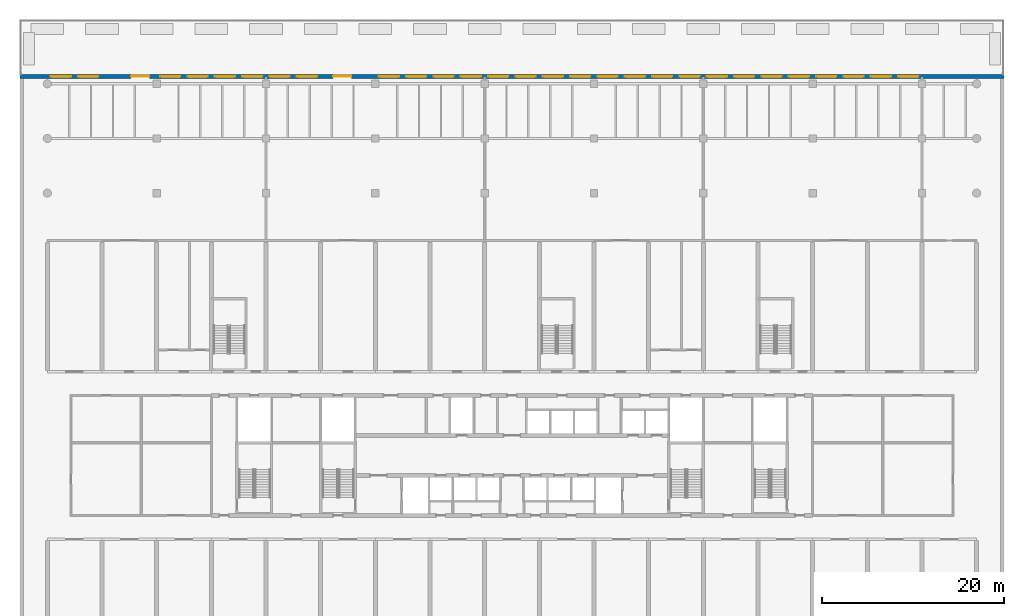
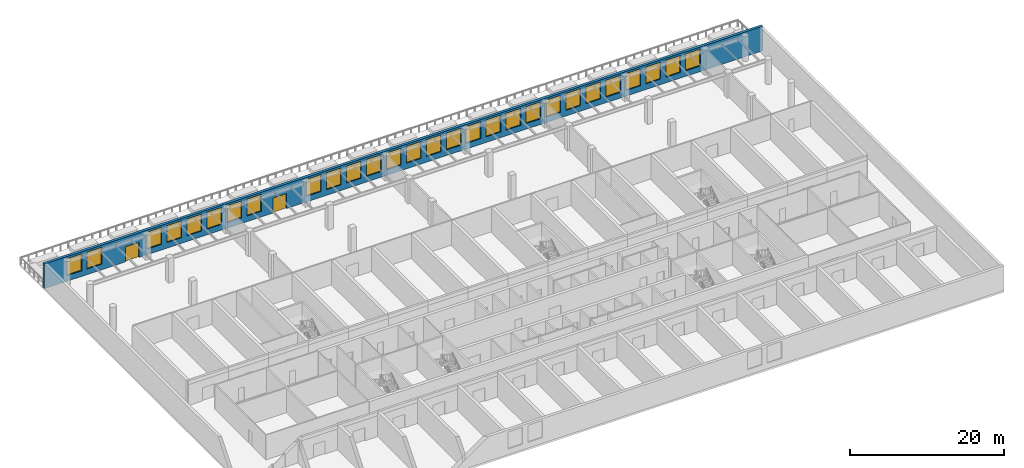
# One storey, part 9 of 15: 28 windows, 2 doors, 1 wall, 30 openings.
"""IFC4 building model written with IfcOpenShell, lengths in metres."""

import ifcopenshell
import ifcopenshell.guid

model = None  # the IFC model being written
_history = None  # IfcOwnerHistory: only IFC2X3 demands one
_inside = {}  # id of a spatial element -> (the spatial element, [elements in it])
_under = {}  # id of a project, library or spatial element -> (it, [spatial elements below it])
_declared = {}  # id of a project -> (the project, [libraries it declares])
_typed = {}  # id of a type object -> (the type object, [elements of that type])
_made_of = {}  # id of a material, layer set ... -> (it, [elements and type objects made of it])


def new_model(schema):
    """Start an empty IFC model of exactly this schema.

    Asked for "IFC4X3", IfcOpenShell would pick the latest addendum, in which some entities
    have other attributes; the version numbers below select the first issue.
    IFC2X3 requires an IfcOwnerHistory on every rooted entity: one is made here for all.
    """
    global model, _history
    if schema == "IFC4X3":
        model = ifcopenshell.file(schema_version=(4, 3, 0, 0))
    else:
        model = ifcopenshell.file(schema=schema)
    _inside.clear()
    _under.clear()
    _declared.clear()
    _typed.clear()
    _made_of.clear()
    _history = None
    if model.schema == "IFC2X3":
        org = make("IfcOrganization", Name="unknown")
        user = make(
            "IfcPersonAndOrganization",
            ThePerson=make("IfcPerson", FamilyName="unknown"),
            TheOrganization=org,
        )
        app = make(
            "IfcApplication",
            ApplicationDeveloper=org,
            Version="unknown",
            ApplicationFullName="unknown",
            ApplicationIdentifier="unknown",
        )
        _history = make(
            "IfcOwnerHistory",
            OwningUser=user,
            OwningApplication=app,
            ChangeAction="ADDED",
            CreationDate=0,
        )
    return model


def make(cls, **values):
    """One entity of the class cls with the attributes given. An attribute that is None is left unset."""
    return model.create_entity(
        cls, **{name: value for name, value in values.items() if value is not None}
    )


def rooted(cls, **values):
    """An entity with a GlobalId (a new one), such as an element, a storey or a relation."""
    return make(cls, GlobalId=ifcopenshell.guid.new(), OwnerHistory=_history, **values)


def si_unit(unit_type, name, prefix=None):
    """IfcSIUnit, for example si_unit("LENGTHUNIT", "METRE", prefix="MILLI")."""
    return make("IfcSIUnit", UnitType=unit_type, Prefix=prefix, Name=name)


def assignment(units):
    """IfcUnitAssignment: the units of a project."""
    return None if units is None else make("IfcUnitAssignment", Units=units)


def point(xyz):
    """IfcCartesianPoint."""
    return None if xyz is None else make("IfcCartesianPoint", Coordinates=xyz)


def direction(xyz):
    """IfcDirection."""
    return None if xyz is None else make("IfcDirection", DirectionRatios=xyz)


def frame(location, z_axis=None, x_axis=None):
    """IfcAxis2Placement3D, a coordinate frame: its origin and axes. An axis left out is left unset."""
    return make(
        "IfcAxis2Placement3D",
        Location=point(location),
        Axis=direction(z_axis),
        RefDirection=direction(x_axis),
    )


def frame_2d(location, x_axis=None):
    """IfcAxis2Placement2D, a coordinate frame in the plane: its origin and x axis."""
    return make(
        "IfcAxis2Placement2D", Location=point(location), RefDirection=direction(x_axis)
    )


def origin():
    """The frame at (0, 0, 0) with its axes left unset."""
    return frame((0.0, 0.0, 0.0))


def place(relative_to, where):
    """IfcLocalPlacement: puts the frame where relative to a parent placement (None: the world)."""
    return make(
        "IfcLocalPlacement", PlacementRelTo=relative_to, RelativePlacement=where
    )


def context(
    kind, dimensions, precision=None, world=None, true_north=None, identifier=None
):
    """IfcGeometricRepresentationContext, for example the 3D "Model" context."""
    return make(
        "IfcGeometricRepresentationContext",
        ContextIdentifier=identifier,
        ContextType=kind,
        CoordinateSpaceDimension=dimensions,
        Precision=precision,
        WorldCoordinateSystem=world,
        TrueNorth=true_north,
    )


def subcontext(parent, identifier, kind, view, scale=None):
    """IfcGeometricRepresentationSubContext, for example "Body" below "Model"."""
    return make(
        "IfcGeometricRepresentationSubContext",
        ContextIdentifier=identifier,
        ContextType=kind,
        ParentContext=parent,
        TargetScale=scale,
        TargetView=view,
    )


def project(units=None, contexts=None):
    """IfcProject with its units and contexts."""
    return rooted(
        "IfcProject",
        Name="project",
        RepresentationContexts=contexts,
        UnitsInContext=assignment(units),
    )


def spatial(cls, under=None, at=None, **own):
    """A site, building, storey or space (cls), placed at a placement, below another one or the project."""
    s = rooted(cls, ObjectPlacement=at, **own)
    if under is not None:
        _under.setdefault(under.id(), (under, []))[1].append(s)
    return s


def profile(cls, at=None, kind="AREA", **sizes):
    """A parametric profile (cls). Its sizes go by their IFC names, for example OverallWidth=200.0."""
    return make(cls, ProfileType=kind, Position=at, **sizes)


def rectangle(**sizes):
    """IfcRectangleProfileDef."""
    return profile("IfcRectangleProfileDef", **sizes)


def extrude(swept, where, along, depth):
    """IfcExtrudedAreaSolid: the profile swept, set in the frame where, extruded along a direction by depth."""
    return make(
        "IfcExtrudedAreaSolid",
        SweptArea=swept,
        Position=where,
        ExtrudedDirection=direction(along),
        Depth=depth,
    )


def shape(context_of_items, identifier, shape_type, items):
    """IfcShapeRepresentation: the items that make up one representation, for example the "Body"."""
    return make(
        "IfcShapeRepresentation",
        ContextOfItems=context_of_items,
        RepresentationIdentifier=identifier,
        RepresentationType=shape_type,
        Items=items,
    )


def material(Name=None, Category=None):
    """IfcMaterial."""
    return make("IfcMaterial", Name=Name, Category=Category)


def layer(
    of_material, thickness, ventilated=None, Name=None, Category=None, Priority=None
):
    """IfcMaterialLayer: one layer of a wall or slab, of a material (None: an air gap)."""
    return make(
        "IfcMaterialLayer",
        Material=of_material,
        LayerThickness=thickness,
        IsVentilated=ventilated,
        Name=Name,
        Category=Category,
        Priority=Priority,
    )


def layer_set(layers, Name=None):
    """IfcMaterialLayerSet."""
    return make("IfcMaterialLayerSet", MaterialLayers=layers, LayerSetName=Name)


def made_of(thing, what):
    """Note that an element or type object is made of a material, layer set ...; save() writes the relation."""
    if what is not None:
        _made_of.setdefault(what.id(), (what, []))[1].append(thing)
    return thing


def type_object(cls, material=None, **own):
    """A type object (cls), such as IfcWallType, which elements share."""
    return made_of(rooted(cls, **own), material)


def element(
    cls,
    number,
    at=None,
    inside=None,
    cuts=None,
    type_object=None,
    material=None,
    context=None,
    identifier="Body",
    shape_type=None,
    held_by="IfcProductDefinitionShape",
    body=None,
    shapes=None,
    **own,
):
    """One element of the class cls, such as IfcWall. Its Tag is "e" and its number.

    at: its placement. inside: the storey or other place that contains it. cuts: it is an
    opening in that element (IfcRelVoidsElement). A single representation is given by context,
    identifier, shape_type and body (its items); several are given by shapes. held_by: the class
    of the entity that holds the representations. save() writes the other relations.
    """
    e = rooted(cls, Tag="e%d" % number, ObjectPlacement=at, **own)
    if body is not None:
        shapes = [shape(context, identifier, shape_type, body)]
    if shapes is not None:
        e.Representation = make(held_by, Representations=shapes)
    if inside is not None:
        _inside.setdefault(inside.id(), (inside, []))[1].append(e)
    if cuts is not None:
        rooted(
            "IfcRelVoidsElement", RelatingBuildingElement=cuts, RelatedOpeningElement=e
        )
    if type_object is not None:
        _typed.setdefault(type_object.id(), (type_object, []))[1].append(e)
    return made_of(e, material)


def fill(opening, filler):
    """IfcRelFillsElement: the door or window that sits in an opening."""
    return rooted(
        "IfcRelFillsElement",
        RelatingOpeningElement=opening,
        RelatedBuildingElement=filler,
    )


def aggregate(whole, parts):
    """IfcRelAggregates: a whole, such as a stair, and the parts it consists of."""
    return rooted("IfcRelAggregates", RelatingObject=whole, RelatedObjects=parts)


def save(model, path):
    """Write the relations noted so far, then the file.

    IfcRelAggregates (storeys below a building ...), IfcRelContainedInSpatialStructure (elements
    in a storey), IfcRelDefinesByType, IfcRelAssociatesMaterial and IfcRelDeclares: one each for
    every whole, place, type object, material and project.
    """
    for whole, parts in _under.values():
        aggregate(whole, parts)
    for where, things in _inside.values():
        rooted(
            "IfcRelContainedInSpatialStructure",
            RelatedElements=things,
            RelatingStructure=where,
        )
    for kind, things in _typed.values():
        rooted("IfcRelDefinesByType", RelatedObjects=things, RelatingType=kind)
    for what, things in _made_of.values():
        rooted("IfcRelAssociatesMaterial", RelatedObjects=things, RelatingMaterial=what)
    for by, libraries in _declared.values():
        rooted("IfcRelDeclares", RelatingContext=by, RelatedDefinitions=libraries)
    model.write(path)


model = new_model("IFC4")

# Units and contexts
model_context = context("Model", 3, precision=1e-05, world=origin(), true_north=direction((0.0, 1.0)))
body_context = subcontext(model_context, "Body", "Model", "MODEL_VIEW")
ifc_project = project(units=[si_unit("LENGTHUNIT", "METRE"), si_unit("AREAUNIT", "SQUARE_METRE"), si_unit("VOLUMEUNIT", "CUBIC_METRE"), si_unit("PLANEANGLEUNIT", "RADIAN"), si_unit("MASSUNIT", "GRAM", prefix="KILO")], contexts=[model_context])

# Site, building, storey
site_placement = place(None, origin())
site = spatial("IfcSite", under=ifc_project, at=site_placement, CompositionType="ELEMENT")
building_placement = place(site_placement, origin())
building = spatial("IfcBuilding", under=site, at=building_placement, Name="Poui Terraces", CompositionType="ELEMENT")
storey_placement = place(building_placement, frame((0.0, 0.0, 10.800048828125)))
storey = spatial("IfcBuildingStorey", under=building, at=storey_placement, Name="L02", CompositionType="ELEMENT", Elevation=10.800048828125)

# Wall, openings, doors, windows
ifc_material_1 = material(Name="Precast concrete 40 MPa", Category="concrete")
ifc_layer = layer(ifc_material_1, 0.39990234375)
ifc_layer_set = layer_set([ifc_layer], Name="Precast concrete 40 MPa")
wall_type = type_object("IfcWallType", Name="EXTERNAL WALL 400", PredefinedType="STANDARD", material=ifc_layer_set)
wall_placement = place(storey_placement, frame((105.0, 62.800048828125, 0.0), z_axis=(0.0, 0.0, 1.0), x_axis=(-1.0, 0.0, 0.0)))
wall = element("IfcWall", 1, at=wall_placement, inside=storey, type_object=wall_type, Name="EXTERNAL WALL N", PredefinedType="STANDARD", context=body_context, shape_type="SweptSolid", body=[
    extrude(rectangle(XDim=108.0, YDim=0.39990234375, at=frame_2d((54.0, 0.0))), origin(), (0.0, 0.0, 1.0), 3.919921875),
])
opening_1_placement = place(wall_placement, frame((102.39990234375, 0.0, 0.89990234375)))
opening_1 = element("IfcOpeningElement", 2, at=opening_1_placement, cuts=wall, Name="Opening W4", PredefinedType="OPENING", context=body_context, shape_type="SweptSolid", body=[
    extrude(rectangle(XDim=2.199951171875, YDim=2.699951171875, at=frame_2d((1.10009765625, 1.35009765625))), frame((0.0, 0.2099609375, 0.0), z_axis=(0.0, -1.0, 0.0), x_axis=(1.0, 0.0, 0.0)), (0.0, 0.0, 1.0), 0.419921875),
])
opening_2_placement = place(wall_placement, frame((99.39990234375, 0.0, 0.89990234375)))
opening_2 = element("IfcOpeningElement", 3, at=opening_2_placement, cuts=wall, Name="Opening W4", PredefinedType="OPENING", context=body_context, shape_type="SweptSolid", body=[
    extrude(rectangle(XDim=2.199951171875, YDim=2.699951171875, at=frame_2d((1.10009765625, 1.35009765625))), frame((0.0, 0.2099609375, 0.0), z_axis=(0.0, -1.0, 0.0), x_axis=(1.0, 0.0, 0.0)), (0.0, 0.0, 1.0), 0.419921875),
])
opening_3_placement = place(wall_placement, frame((90.39990234375, 0.0, 0.89990234375)))
opening_3 = element("IfcOpeningElement", 4, at=opening_3_placement, cuts=wall, Name="Opening W4", PredefinedType="OPENING", context=body_context, shape_type="SweptSolid", body=[
    extrude(rectangle(XDim=2.199951171875, YDim=2.699951171875, at=frame_2d((1.10009765625, 1.35009765625))), frame((0.0, 0.2099609375, 0.0), z_axis=(0.0, -1.0, 0.0), x_axis=(1.0, 0.0, 0.0)), (0.0, 0.0, 1.0), 0.419921875),
])
opening_4_placement = place(wall_placement, frame((87.39990234375, 0.0, 0.89990234375)))
opening_4 = element("IfcOpeningElement", 5, at=opening_4_placement, cuts=wall, Name="Opening W4", PredefinedType="OPENING", context=body_context, shape_type="SweptSolid", body=[
    extrude(rectangle(XDim=2.199951171875, YDim=2.699951171875, at=frame_2d((1.10009765625, 1.35009765625))), frame((0.0, 0.2099609375, 0.0), z_axis=(0.0, -1.0, 0.0), x_axis=(1.0, 0.0, 0.0)), (0.0, 0.0, 1.0), 0.419921875),
])
opening_5_placement = place(wall_placement, frame((84.39990234375, 0.0, 0.89990234375)))
opening_5 = element("IfcOpeningElement", 6, at=opening_5_placement, cuts=wall, Name="Opening W4", PredefinedType="OPENING", context=body_context, shape_type="SweptSolid", body=[
    extrude(rectangle(XDim=2.199951171875, YDim=2.699951171875, at=frame_2d((1.10009765625, 1.35009765625))), frame((0.0, 0.2099609375, 0.0), z_axis=(0.0, -1.0, 0.0), x_axis=(1.0, 0.0, 0.0)), (0.0, 0.0, 1.0), 0.419921875),
])
opening_6_placement = place(wall_placement, frame((81.39990234375, 0.0, 0.89990234375)))
opening_6 = element("IfcOpeningElement", 7, at=opening_6_placement, cuts=wall, Name="Opening W4", PredefinedType="OPENING", context=body_context, shape_type="SweptSolid", body=[
    extrude(rectangle(XDim=2.199951171875, YDim=2.699951171875, at=frame_2d((1.10009765625, 1.35009765625))), frame((0.0, 0.2099609375, 0.0), z_axis=(0.0, -1.0, 0.0), x_axis=(1.0, 0.0, 0.0)), (0.0, 0.0, 1.0), 0.419921875),
])
opening_7_placement = place(wall_placement, frame((78.39990234375, 0.0, 0.89990234375)))
opening_7 = element("IfcOpeningElement", 8, at=opening_7_placement, cuts=wall, Name="Opening W4", PredefinedType="OPENING", context=body_context, shape_type="SweptSolid", body=[
    extrude(rectangle(XDim=2.199951171875, YDim=2.699951171875, at=frame_2d((1.10009765625, 1.35009765625))), frame((0.0, 0.2099609375, 0.0), z_axis=(0.0, -1.0, 0.0), x_axis=(1.0, 0.0, 0.0)), (0.0, 0.0, 1.0), 0.419921875),
])
opening_8_placement = place(wall_placement, frame((75.39990234375, 0.0, 0.89990234375)))
opening_8 = element("IfcOpeningElement", 9, at=opening_8_placement, cuts=wall, Name="Opening W4", PredefinedType="OPENING", context=body_context, shape_type="SweptSolid", body=[
    extrude(rectangle(XDim=2.199951171875, YDim=2.699951171875, at=frame_2d((1.10009765625, 1.35009765625))), frame((0.0, 0.2099609375, 0.0), z_axis=(0.0, -1.0, 0.0), x_axis=(1.0, 0.0, 0.0)), (0.0, 0.0, 1.0), 0.419921875),
])
opening_9_placement = place(wall_placement, frame((66.39990234375, 0.0, 0.89990234375)))
opening_9 = element("IfcOpeningElement", 10, at=opening_9_placement, cuts=wall, Name="Opening W4", PredefinedType="OPENING", context=body_context, shape_type="SweptSolid", body=[
    extrude(rectangle(XDim=2.199951171875, YDim=2.699951171875, at=frame_2d((1.10009765625, 1.35009765625))), frame((0.0, 0.2099609375, 0.0), z_axis=(0.0, -1.0, 0.0), x_axis=(1.0, 0.0, 0.0)), (0.0, 0.0, 1.0), 0.419921875),
])
opening_10_placement = place(wall_placement, frame((63.39990234375, 0.0, 0.89990234375)))
opening_10 = element("IfcOpeningElement", 11, at=opening_10_placement, cuts=wall, Name="Opening W4", PredefinedType="OPENING", context=body_context, shape_type="SweptSolid", body=[
    extrude(rectangle(XDim=2.199951171875, YDim=2.699951171875, at=frame_2d((1.10009765625, 1.35009765625))), frame((0.0, 0.2099609375, 0.0), z_axis=(0.0, -1.0, 0.0), x_axis=(1.0, 0.0, 0.0)), (0.0, 0.0, 1.0), 0.419921875),
])
opening_11_placement = place(wall_placement, frame((60.39990234375, 0.0, 0.89990234375)))
opening_11 = element("IfcOpeningElement", 12, at=opening_11_placement, cuts=wall, Name="Opening W4", PredefinedType="OPENING", context=body_context, shape_type="SweptSolid", body=[
    extrude(rectangle(XDim=2.199951171875, YDim=2.699951171875, at=frame_2d((1.10009765625, 1.35009765625))), frame((0.0, 0.2099609375, 0.0), z_axis=(0.0, -1.0, 0.0), x_axis=(1.0, 0.0, 0.0)), (0.0, 0.0, 1.0), 0.419921875),
])
opening_12_placement = place(wall_placement, frame((57.39990234375, 0.0, 0.89990234375)))
opening_12 = element("IfcOpeningElement", 13, at=opening_12_placement, cuts=wall, Name="Opening W4", PredefinedType="OPENING", context=body_context, shape_type="SweptSolid", body=[
    extrude(rectangle(XDim=2.199951171875, YDim=2.699951171875, at=frame_2d((1.10009765625, 1.35009765625))), frame((0.0, 0.2099609375, 0.0), z_axis=(0.0, -1.0, 0.0), x_axis=(1.0, 0.0, 0.0)), (0.0, 0.0, 1.0), 0.419921875),
])
opening_13_placement = place(wall_placement, frame((54.39990234375, 0.0, 0.89990234375)))
opening_13 = element("IfcOpeningElement", 14, at=opening_13_placement, cuts=wall, Name="Opening W4", PredefinedType="OPENING", context=body_context, shape_type="SweptSolid", body=[
    extrude(rectangle(XDim=2.199951171875, YDim=2.699951171875, at=frame_2d((1.10009765625, 1.35009765625))), frame((0.0, 0.2099609375, 0.0), z_axis=(0.0, -1.0, 0.0), x_axis=(1.0, 0.0, 0.0)), (0.0, 0.0, 1.0), 0.419921875),
])
opening_14_placement = place(wall_placement, frame((51.39990234375, 0.0, 0.89990234375)))
opening_14 = element("IfcOpeningElement", 15, at=opening_14_placement, cuts=wall, Name="Opening W4", PredefinedType="OPENING", context=body_context, shape_type="SweptSolid", body=[
    extrude(rectangle(XDim=2.199951171875, YDim=2.699951171875, at=frame_2d((1.10009765625, 1.35009765625))), frame((0.0, 0.2099609375, 0.0), z_axis=(0.0, -1.0, 0.0), x_axis=(1.0, 0.0, 0.0)), (0.0, 0.0, 1.0), 0.419921875),
])
opening_15_placement = place(wall_placement, frame((48.39990234375, 0.0, 0.89990234375)))
opening_15 = element("IfcOpeningElement", 16, at=opening_15_placement, cuts=wall, Name="Opening W4", PredefinedType="OPENING", context=body_context, shape_type="SweptSolid", body=[
    extrude(rectangle(XDim=2.199951171875, YDim=2.699951171875, at=frame_2d((1.10009765625, 1.35009765625))), frame((0.0, 0.2099609375, 0.0), z_axis=(0.0, -1.0, 0.0), x_axis=(1.0, 0.0, 0.0)), (0.0, 0.0, 1.0), 0.419921875),
])
opening_16_placement = place(wall_placement, frame((45.39990234375, 0.0, 0.89990234375)))
opening_16 = element("IfcOpeningElement", 17, at=opening_16_placement, cuts=wall, Name="Opening W4", PredefinedType="OPENING", context=body_context, shape_type="SweptSolid", body=[
    extrude(rectangle(XDim=2.199951171875, YDim=2.699951171875, at=frame_2d((1.10009765625, 1.35009765625))), frame((0.0, 0.2099609375, 0.0), z_axis=(0.0, -1.0, 0.0), x_axis=(1.0, 0.0, 0.0)), (0.0, 0.0, 1.0), 0.419921875),
])
opening_17_placement = place(wall_placement, frame((42.39990234375, 0.0, 0.89990234375)))
opening_17 = element("IfcOpeningElement", 18, at=opening_17_placement, cuts=wall, Name="Opening W4", PredefinedType="OPENING", context=body_context, shape_type="SweptSolid", body=[
    extrude(rectangle(XDim=2.199951171875, YDim=2.699951171875, at=frame_2d((1.10009765625, 1.35009765625))), frame((0.0, 0.2099609375, 0.0), z_axis=(0.0, -1.0, 0.0), x_axis=(1.0, 0.0, 0.0)), (0.0, 0.0, 1.0), 0.419921875),
])
opening_18_placement = place(wall_placement, frame((39.39990234375, 0.0, 0.89990234375)))
opening_18 = element("IfcOpeningElement", 19, at=opening_18_placement, cuts=wall, Name="Opening W4", PredefinedType="OPENING", context=body_context, shape_type="SweptSolid", body=[
    extrude(rectangle(XDim=2.199951171875, YDim=2.699951171875, at=frame_2d((1.10009765625, 1.35009765625))), frame((0.0, 0.2099609375, 0.0), z_axis=(0.0, -1.0, 0.0), x_axis=(1.0, 0.0, 0.0)), (0.0, 0.0, 1.0), 0.419921875),
])
opening_19_placement = place(wall_placement, frame((36.39990234375, 0.0, 0.89990234375)))
opening_19 = element("IfcOpeningElement", 20, at=opening_19_placement, cuts=wall, Name="Opening W4", PredefinedType="OPENING", context=body_context, shape_type="SweptSolid", body=[
    extrude(rectangle(XDim=2.199951171875, YDim=2.699951171875, at=frame_2d((1.10009765625, 1.35009765625))), frame((0.0, 0.2099609375, 0.0), z_axis=(0.0, -1.0, 0.0), x_axis=(1.0, 0.0, 0.0)), (0.0, 0.0, 1.0), 0.419921875),
])
opening_20_placement = place(wall_placement, frame((33.39990234375, 0.0, 0.89990234375)))
opening_20 = element("IfcOpeningElement", 21, at=opening_20_placement, cuts=wall, Name="Opening W4", PredefinedType="OPENING", context=body_context, shape_type="SweptSolid", body=[
    extrude(rectangle(XDim=2.199951171875, YDim=2.699951171875, at=frame_2d((1.10009765625, 1.35009765625))), frame((0.0, 0.2099609375, 0.0), z_axis=(0.0, -1.0, 0.0), x_axis=(1.0, 0.0, 0.0)), (0.0, 0.0, 1.0), 0.419921875),
])
opening_21_placement = place(wall_placement, frame((30.39990234375, 0.0, 0.89990234375)))
opening_21 = element("IfcOpeningElement", 22, at=opening_21_placement, cuts=wall, Name="Opening W4", PredefinedType="OPENING", context=body_context, shape_type="SweptSolid", body=[
    extrude(rectangle(XDim=2.199951171875, YDim=2.699951171875, at=frame_2d((1.10009765625, 1.35009765625))), frame((0.0, 0.2099609375, 0.0), z_axis=(0.0, -1.0, 0.0), x_axis=(1.0, 0.0, 0.0)), (0.0, 0.0, 1.0), 0.419921875),
])
opening_22_placement = place(wall_placement, frame((27.39990234375, 0.0, 0.89990234375)))
opening_22 = element("IfcOpeningElement", 23, at=opening_22_placement, cuts=wall, Name="Opening W4", PredefinedType="OPENING", context=body_context, shape_type="SweptSolid", body=[
    extrude(rectangle(XDim=2.199951171875, YDim=2.699951171875, at=frame_2d((1.10009765625, 1.35009765625))), frame((0.0, 0.2099609375, 0.0), z_axis=(0.0, -1.0, 0.0), x_axis=(1.0, 0.0, 0.0)), (0.0, 0.0, 1.0), 0.419921875),
])
opening_23_placement = place(wall_placement, frame((24.39990234375, 0.0, 0.89990234375)))
opening_23 = element("IfcOpeningElement", 24, at=opening_23_placement, cuts=wall, Name="Opening W4", PredefinedType="OPENING", context=body_context, shape_type="SweptSolid", body=[
    extrude(rectangle(XDim=2.199951171875, YDim=2.699951171875, at=frame_2d((1.10009765625, 1.35009765625))), frame((0.0, 0.2099609375, 0.0), z_axis=(0.0, -1.0, 0.0), x_axis=(1.0, 0.0, 0.0)), (0.0, 0.0, 1.0), 0.419921875),
])
opening_24_placement = place(wall_placement, frame((21.39990234375, 0.0, 0.89990234375)))
opening_24 = element("IfcOpeningElement", 25, at=opening_24_placement, cuts=wall, Name="Opening W4", PredefinedType="OPENING", context=body_context, shape_type="SweptSolid", body=[
    extrude(rectangle(XDim=2.199951171875, YDim=2.699951171875, at=frame_2d((1.10009765625, 1.35009765625))), frame((0.0, 0.2099609375, 0.0), z_axis=(0.0, -1.0, 0.0), x_axis=(1.0, 0.0, 0.0)), (0.0, 0.0, 1.0), 0.419921875),
])
opening_25_placement = place(wall_placement, frame((18.39990234375, 0.0, 0.89990234375)))
opening_25 = element("IfcOpeningElement", 26, at=opening_25_placement, cuts=wall, Name="Opening W4", PredefinedType="OPENING", context=body_context, shape_type="SweptSolid", body=[
    extrude(rectangle(XDim=2.199951171875, YDim=2.699951171875, at=frame_2d((1.10009765625, 1.35009765625))), frame((0.0, 0.2099609375, 0.0), z_axis=(0.0, -1.0, 0.0), x_axis=(1.0, 0.0, 0.0)), (0.0, 0.0, 1.0), 0.419921875),
])
opening_26_placement = place(wall_placement, frame((15.39990234375, 0.0, 0.89990234375)))
opening_26 = element("IfcOpeningElement", 27, at=opening_26_placement, cuts=wall, Name="Opening W4", PredefinedType="OPENING", context=body_context, shape_type="SweptSolid", body=[
    extrude(rectangle(XDim=2.199951171875, YDim=2.699951171875, at=frame_2d((1.10009765625, 1.35009765625))), frame((0.0, 0.2099609375, 0.0), z_axis=(0.0, -1.0, 0.0), x_axis=(1.0, 0.0, 0.0)), (0.0, 0.0, 1.0), 0.419921875),
])
opening_27_placement = place(wall_placement, frame((12.39990234375, 0.0, 0.89990234375)))
opening_27 = element("IfcOpeningElement", 28, at=opening_27_placement, cuts=wall, Name="Opening W4", PredefinedType="OPENING", context=body_context, shape_type="SweptSolid", body=[
    extrude(rectangle(XDim=2.199951171875, YDim=2.699951171875, at=frame_2d((1.10009765625, 1.35009765625))), frame((0.0, 0.2099609375, 0.0), z_axis=(0.0, -1.0, 0.0), x_axis=(1.0, 0.0, 0.0)), (0.0, 0.0, 1.0), 0.419921875),
])
opening_28_placement = place(wall_placement, frame((9.39990234375, 0.0, 0.89990234375)))
opening_28 = element("IfcOpeningElement", 29, at=opening_28_placement, cuts=wall, Name="Opening W4", PredefinedType="OPENING", context=body_context, shape_type="SweptSolid", body=[
    extrude(rectangle(XDim=2.199951171875, YDim=2.699951171875, at=frame_2d((1.10009765625, 1.35009765625))), frame((0.0, 0.2099609375, 0.0), z_axis=(0.0, -1.0, 0.0), x_axis=(1.0, 0.0, 0.0)), (0.0, 0.0, 1.0), 0.419921875),
])
opening_29_placement = place(wall_placement, frame((93.800048828125, 0.0, 0.0)))
opening_29 = element("IfcOpeningElement", 30, at=opening_29_placement, cuts=wall, Name="Opening XDD200", PredefinedType="OPENING", context=body_context, shape_type="SweptSolid", body=[
    extrude(rectangle(XDim=2.0, YDim=2.39990234375, at=frame_2d((1.0, 1.199951171875))), frame((0.0, 0.2099609375, 0.0), z_axis=(0.0, -1.0, 0.0), x_axis=(1.0, 0.0, 0.0)), (0.0, 0.0, 1.0), 0.419921875),
])
opening_30_placement = place(wall_placement, frame((71.6298828125, 0.0, 0.0)))
opening_30 = element("IfcOpeningElement", 31, at=opening_30_placement, cuts=wall, Name="Opening XDD200", PredefinedType="OPENING", context=body_context, shape_type="SweptSolid", body=[
    extrude(rectangle(XDim=2.0, YDim=2.39990234375, at=frame_2d((1.0, 1.199951171875))), frame((0.0, 0.2099609375, 0.0), z_axis=(0.0, -1.0, 0.0), x_axis=(1.0, 0.0, 0.0)), (0.0, 0.0, 1.0), 0.419921875),
])
ifc_material_2 = material(Name="Aluminium glazed door", Category="aluminium")
door_type = type_object("IfcDoorType", Name="EXTERNAL DOUBLE DOOR 2000 X 2400", OperationType="DOUBLE_DOOR_SINGLE_SWING", PredefinedType="DOOR", material=ifc_material_2)
door_1_placement = place(opening_29_placement, frame((2.0, 0.0, 0.0), z_axis=(0.0, 0.0, 1.0), x_axis=(-1.0, 0.0, 0.0)))
door_1 = element("IfcDoor", 32, at=door_1_placement, inside=storey, type_object=door_type, Name="EXTERNAL DOUBLE DOOR 081", OperationType="DOUBLE_DOOR_SINGLE_SWING", OverallHeight=2.39990234375, OverallWidth=2.0, PredefinedType="DOOR", context=body_context, shape_type="SweptSolid", body=[
    extrude(rectangle(XDim=2.0, YDim=2.39990234375, at=frame_2d((1.0, 1.199951171875))), frame((0.0, 0.02490234375, 0.0), z_axis=(0.0, -1.0, 0.0), x_axis=(1.0, 0.0, 0.0)), (0.0, 0.0, 1.0), 0.050048828125),
])
fill(opening_29, door_1)
door_2_placement = place(opening_30_placement, frame((2.0, 0.0, 0.0), z_axis=(0.0, 0.0, 1.0), x_axis=(-1.0, 0.0, 0.0)))
door_2 = element("IfcDoor", 33, at=door_2_placement, inside=storey, type_object=door_type, Name="EXTERNAL DOUBLE DOOR 082", OperationType="DOUBLE_DOOR_SINGLE_SWING", OverallHeight=2.39990234375, OverallWidth=2.0, PredefinedType="DOOR", context=body_context, shape_type="SweptSolid", body=[
    extrude(rectangle(XDim=2.0, YDim=2.39990234375, at=frame_2d((1.0, 1.199951171875))), frame((0.0, 0.02490234375, 0.0), z_axis=(0.0, -1.0, 0.0), x_axis=(1.0, 0.0, 0.0)), (0.0, 0.0, 1.0), 0.050048828125),
])
fill(opening_30, door_2)
ifc_material_3 = material(Name="Clear glass in aluminium frame", Category="aluminium")
window_type = type_object("IfcWindowType", Name="WINDOW 2200X2700", PartitioningType="DOUBLE_PANEL_HORIZONTAL", PredefinedType="WINDOW", material=ifc_material_3)
window_1_placement = place(opening_1_placement, origin())
window_1 = element("IfcWindow", 34, at=window_1_placement, inside=storey, type_object=window_type, Name="W4 WINDOW", OverallHeight=2.699951171875, OverallWidth=2.199951171875, PartitioningType="DOUBLE_PANEL_HORIZONTAL", PredefinedType="WINDOW", context=body_context, shape_type="SweptSolid", body=[
    extrude(rectangle(XDim=2.199951171875, YDim=2.699951171875, at=frame_2d((1.10009765625, 1.35009765625))), frame((0.0, 0.030029296875, 0.0), z_axis=(0.0, -1.0, 0.0), x_axis=(1.0, 0.0, 0.0)), (0.0, 0.0, 1.0), 0.06005859375),
])
fill(opening_1, window_1)
window_2_placement = place(opening_2_placement, origin())
window_2 = element("IfcWindow", 35, at=window_2_placement, inside=storey, type_object=window_type, Name="W4 WINDOW", OverallHeight=2.699951171875, OverallWidth=2.199951171875, PartitioningType="DOUBLE_PANEL_HORIZONTAL", PredefinedType="WINDOW", context=body_context, shape_type="SweptSolid", body=[
    extrude(rectangle(XDim=2.199951171875, YDim=2.699951171875, at=frame_2d((1.10009765625, 1.35009765625))), frame((0.0, 0.030029296875, 0.0), z_axis=(0.0, -1.0, 0.0), x_axis=(1.0, 0.0, 0.0)), (0.0, 0.0, 1.0), 0.06005859375),
])
fill(opening_2, window_2)
window_3_placement = place(opening_3_placement, origin())
window_3 = element("IfcWindow", 36, at=window_3_placement, inside=storey, type_object=window_type, Name="W4 WINDOW", OverallHeight=2.699951171875, OverallWidth=2.199951171875, PartitioningType="DOUBLE_PANEL_HORIZONTAL", PredefinedType="WINDOW", context=body_context, shape_type="SweptSolid", body=[
    extrude(rectangle(XDim=2.199951171875, YDim=2.699951171875, at=frame_2d((1.10009765625, 1.35009765625))), frame((0.0, 0.030029296875, 0.0), z_axis=(0.0, -1.0, 0.0), x_axis=(1.0, 0.0, 0.0)), (0.0, 0.0, 1.0), 0.06005859375),
])
fill(opening_3, window_3)
window_4_placement = place(opening_4_placement, origin())
window_4 = element("IfcWindow", 37, at=window_4_placement, inside=storey, type_object=window_type, Name="W4 WINDOW", OverallHeight=2.699951171875, OverallWidth=2.199951171875, PartitioningType="DOUBLE_PANEL_HORIZONTAL", PredefinedType="WINDOW", context=body_context, shape_type="SweptSolid", body=[
    extrude(rectangle(XDim=2.199951171875, YDim=2.699951171875, at=frame_2d((1.10009765625, 1.35009765625))), frame((0.0, 0.030029296875, 0.0), z_axis=(0.0, -1.0, 0.0), x_axis=(1.0, 0.0, 0.0)), (0.0, 0.0, 1.0), 0.06005859375),
])
fill(opening_4, window_4)
window_5_placement = place(opening_5_placement, origin())
window_5 = element("IfcWindow", 38, at=window_5_placement, inside=storey, type_object=window_type, Name="W4 WINDOW", OverallHeight=2.699951171875, OverallWidth=2.199951171875, PartitioningType="DOUBLE_PANEL_HORIZONTAL", PredefinedType="WINDOW", context=body_context, shape_type="SweptSolid", body=[
    extrude(rectangle(XDim=2.199951171875, YDim=2.699951171875, at=frame_2d((1.10009765625, 1.35009765625))), frame((0.0, 0.030029296875, 0.0), z_axis=(0.0, -1.0, 0.0), x_axis=(1.0, 0.0, 0.0)), (0.0, 0.0, 1.0), 0.06005859375),
])
fill(opening_5, window_5)
window_6_placement = place(opening_6_placement, origin())
window_6 = element("IfcWindow", 39, at=window_6_placement, inside=storey, type_object=window_type, Name="W4 WINDOW", OverallHeight=2.699951171875, OverallWidth=2.199951171875, PartitioningType="DOUBLE_PANEL_HORIZONTAL", PredefinedType="WINDOW", context=body_context, shape_type="SweptSolid", body=[
    extrude(rectangle(XDim=2.199951171875, YDim=2.699951171875, at=frame_2d((1.10009765625, 1.35009765625))), frame((0.0, 0.030029296875, 0.0), z_axis=(0.0, -1.0, 0.0), x_axis=(1.0, 0.0, 0.0)), (0.0, 0.0, 1.0), 0.06005859375),
])
fill(opening_6, window_6)
window_7_placement = place(opening_7_placement, origin())
window_7 = element("IfcWindow", 40, at=window_7_placement, inside=storey, type_object=window_type, Name="W4 WINDOW", OverallHeight=2.699951171875, OverallWidth=2.199951171875, PartitioningType="DOUBLE_PANEL_HORIZONTAL", PredefinedType="WINDOW", context=body_context, shape_type="SweptSolid", body=[
    extrude(rectangle(XDim=2.199951171875, YDim=2.699951171875, at=frame_2d((1.10009765625, 1.35009765625))), frame((0.0, 0.030029296875, 0.0), z_axis=(0.0, -1.0, 0.0), x_axis=(1.0, 0.0, 0.0)), (0.0, 0.0, 1.0), 0.06005859375),
])
fill(opening_7, window_7)
window_8_placement = place(opening_8_placement, origin())
window_8 = element("IfcWindow", 41, at=window_8_placement, inside=storey, type_object=window_type, Name="W4 WINDOW", OverallHeight=2.699951171875, OverallWidth=2.199951171875, PartitioningType="DOUBLE_PANEL_HORIZONTAL", PredefinedType="WINDOW", context=body_context, shape_type="SweptSolid", body=[
    extrude(rectangle(XDim=2.199951171875, YDim=2.699951171875, at=frame_2d((1.10009765625, 1.35009765625))), frame((0.0, 0.030029296875, 0.0), z_axis=(0.0, -1.0, 0.0), x_axis=(1.0, 0.0, 0.0)), (0.0, 0.0, 1.0), 0.06005859375),
])
fill(opening_8, window_8)
window_9_placement = place(opening_9_placement, origin())
window_9 = element("IfcWindow", 42, at=window_9_placement, inside=storey, type_object=window_type, Name="W4 WINDOW", OverallHeight=2.699951171875, OverallWidth=2.199951171875, PartitioningType="DOUBLE_PANEL_HORIZONTAL", PredefinedType="WINDOW", context=body_context, shape_type="SweptSolid", body=[
    extrude(rectangle(XDim=2.199951171875, YDim=2.699951171875, at=frame_2d((1.10009765625, 1.35009765625))), frame((0.0, 0.030029296875, 0.0), z_axis=(0.0, -1.0, 0.0), x_axis=(1.0, 0.0, 0.0)), (0.0, 0.0, 1.0), 0.06005859375),
])
fill(opening_9, window_9)
window_10_placement = place(opening_10_placement, origin())
window_10 = element("IfcWindow", 43, at=window_10_placement, inside=storey, type_object=window_type, Name="W4 WINDOW", OverallHeight=2.699951171875, OverallWidth=2.199951171875, PartitioningType="DOUBLE_PANEL_HORIZONTAL", PredefinedType="WINDOW", context=body_context, shape_type="SweptSolid", body=[
    extrude(rectangle(XDim=2.199951171875, YDim=2.699951171875, at=frame_2d((1.10009765625, 1.35009765625))), frame((0.0, 0.030029296875, 0.0), z_axis=(0.0, -1.0, 0.0), x_axis=(1.0, 0.0, 0.0)), (0.0, 0.0, 1.0), 0.06005859375),
])
fill(opening_10, window_10)
window_11_placement = place(opening_11_placement, origin())
window_11 = element("IfcWindow", 44, at=window_11_placement, inside=storey, type_object=window_type, Name="W4 WINDOW", OverallHeight=2.699951171875, OverallWidth=2.199951171875, PartitioningType="DOUBLE_PANEL_HORIZONTAL", PredefinedType="WINDOW", context=body_context, shape_type="SweptSolid", body=[
    extrude(rectangle(XDim=2.199951171875, YDim=2.699951171875, at=frame_2d((1.10009765625, 1.35009765625))), frame((0.0, 0.030029296875, 0.0), z_axis=(0.0, -1.0, 0.0), x_axis=(1.0, 0.0, 0.0)), (0.0, 0.0, 1.0), 0.06005859375),
])
fill(opening_11, window_11)
window_12_placement = place(opening_12_placement, origin())
window_12 = element("IfcWindow", 45, at=window_12_placement, inside=storey, type_object=window_type, Name="W4 WINDOW", OverallHeight=2.699951171875, OverallWidth=2.199951171875, PartitioningType="DOUBLE_PANEL_HORIZONTAL", PredefinedType="WINDOW", context=body_context, shape_type="SweptSolid", body=[
    extrude(rectangle(XDim=2.199951171875, YDim=2.699951171875, at=frame_2d((1.10009765625, 1.35009765625))), frame((0.0, 0.030029296875, 0.0), z_axis=(0.0, -1.0, 0.0), x_axis=(1.0, 0.0, 0.0)), (0.0, 0.0, 1.0), 0.06005859375),
])
fill(opening_12, window_12)
window_13_placement = place(opening_13_placement, origin())
window_13 = element("IfcWindow", 46, at=window_13_placement, inside=storey, type_object=window_type, Name="W4 WINDOW", OverallHeight=2.699951171875, OverallWidth=2.199951171875, PartitioningType="DOUBLE_PANEL_HORIZONTAL", PredefinedType="WINDOW", context=body_context, shape_type="SweptSolid", body=[
    extrude(rectangle(XDim=2.199951171875, YDim=2.699951171875, at=frame_2d((1.10009765625, 1.35009765625))), frame((0.0, 0.030029296875, 0.0), z_axis=(0.0, -1.0, 0.0), x_axis=(1.0, 0.0, 0.0)), (0.0, 0.0, 1.0), 0.06005859375),
])
fill(opening_13, window_13)
window_14_placement = place(opening_14_placement, origin())
window_14 = element("IfcWindow", 47, at=window_14_placement, inside=storey, type_object=window_type, Name="W4 WINDOW", OverallHeight=2.699951171875, OverallWidth=2.199951171875, PartitioningType="DOUBLE_PANEL_HORIZONTAL", PredefinedType="WINDOW", context=body_context, shape_type="SweptSolid", body=[
    extrude(rectangle(XDim=2.199951171875, YDim=2.699951171875, at=frame_2d((1.10009765625, 1.35009765625))), frame((0.0, 0.030029296875, 0.0), z_axis=(0.0, -1.0, 0.0), x_axis=(1.0, 0.0, 0.0)), (0.0, 0.0, 1.0), 0.06005859375),
])
fill(opening_14, window_14)
window_15_placement = place(opening_15_placement, origin())
window_15 = element("IfcWindow", 48, at=window_15_placement, inside=storey, type_object=window_type, Name="W4 WINDOW", OverallHeight=2.699951171875, OverallWidth=2.199951171875, PartitioningType="DOUBLE_PANEL_HORIZONTAL", PredefinedType="WINDOW", context=body_context, shape_type="SweptSolid", body=[
    extrude(rectangle(XDim=2.199951171875, YDim=2.699951171875, at=frame_2d((1.10009765625, 1.35009765625))), frame((0.0, 0.030029296875, 0.0), z_axis=(0.0, -1.0, 0.0), x_axis=(1.0, 0.0, 0.0)), (0.0, 0.0, 1.0), 0.06005859375),
])
fill(opening_15, window_15)
window_16_placement = place(opening_16_placement, origin())
window_16 = element("IfcWindow", 49, at=window_16_placement, inside=storey, type_object=window_type, Name="W4 WINDOW", OverallHeight=2.699951171875, OverallWidth=2.199951171875, PartitioningType="DOUBLE_PANEL_HORIZONTAL", PredefinedType="WINDOW", context=body_context, shape_type="SweptSolid", body=[
    extrude(rectangle(XDim=2.199951171875, YDim=2.699951171875, at=frame_2d((1.10009765625, 1.35009765625))), frame((0.0, 0.030029296875, 0.0), z_axis=(0.0, -1.0, 0.0), x_axis=(1.0, 0.0, 0.0)), (0.0, 0.0, 1.0), 0.06005859375),
])
fill(opening_16, window_16)
window_17_placement = place(opening_17_placement, origin())
window_17 = element("IfcWindow", 50, at=window_17_placement, inside=storey, type_object=window_type, Name="W4 WINDOW", OverallHeight=2.699951171875, OverallWidth=2.199951171875, PartitioningType="DOUBLE_PANEL_HORIZONTAL", PredefinedType="WINDOW", context=body_context, shape_type="SweptSolid", body=[
    extrude(rectangle(XDim=2.199951171875, YDim=2.699951171875, at=frame_2d((1.10009765625, 1.35009765625))), frame((0.0, 0.030029296875, 0.0), z_axis=(0.0, -1.0, 0.0), x_axis=(1.0, 0.0, 0.0)), (0.0, 0.0, 1.0), 0.06005859375),
])
fill(opening_17, window_17)
window_18_placement = place(opening_18_placement, origin())
window_18 = element("IfcWindow", 51, at=window_18_placement, inside=storey, type_object=window_type, Name="W4 WINDOW", OverallHeight=2.699951171875, OverallWidth=2.199951171875, PartitioningType="DOUBLE_PANEL_HORIZONTAL", PredefinedType="WINDOW", context=body_context, shape_type="SweptSolid", body=[
    extrude(rectangle(XDim=2.199951171875, YDim=2.699951171875, at=frame_2d((1.10009765625, 1.35009765625))), frame((0.0, 0.030029296875, 0.0), z_axis=(0.0, -1.0, 0.0), x_axis=(1.0, 0.0, 0.0)), (0.0, 0.0, 1.0), 0.06005859375),
])
fill(opening_18, window_18)
window_19_placement = place(opening_19_placement, origin())
window_19 = element("IfcWindow", 52, at=window_19_placement, inside=storey, type_object=window_type, Name="W4 WINDOW", OverallHeight=2.699951171875, OverallWidth=2.199951171875, PartitioningType="DOUBLE_PANEL_HORIZONTAL", PredefinedType="WINDOW", context=body_context, shape_type="SweptSolid", body=[
    extrude(rectangle(XDim=2.199951171875, YDim=2.699951171875, at=frame_2d((1.10009765625, 1.35009765625))), frame((0.0, 0.030029296875, 0.0), z_axis=(0.0, -1.0, 0.0), x_axis=(1.0, 0.0, 0.0)), (0.0, 0.0, 1.0), 0.06005859375),
])
fill(opening_19, window_19)
window_20_placement = place(opening_20_placement, origin())
window_20 = element("IfcWindow", 53, at=window_20_placement, inside=storey, type_object=window_type, Name="W4 WINDOW", OverallHeight=2.699951171875, OverallWidth=2.199951171875, PartitioningType="DOUBLE_PANEL_HORIZONTAL", PredefinedType="WINDOW", context=body_context, shape_type="SweptSolid", body=[
    extrude(rectangle(XDim=2.199951171875, YDim=2.699951171875, at=frame_2d((1.10009765625, 1.35009765625))), frame((0.0, 0.030029296875, 0.0), z_axis=(0.0, -1.0, 0.0), x_axis=(1.0, 0.0, 0.0)), (0.0, 0.0, 1.0), 0.06005859375),
])
fill(opening_20, window_20)
window_21_placement = place(opening_21_placement, origin())
window_21 = element("IfcWindow", 54, at=window_21_placement, inside=storey, type_object=window_type, Name="W4 WINDOW", OverallHeight=2.699951171875, OverallWidth=2.199951171875, PartitioningType="DOUBLE_PANEL_HORIZONTAL", PredefinedType="WINDOW", context=body_context, shape_type="SweptSolid", body=[
    extrude(rectangle(XDim=2.199951171875, YDim=2.699951171875, at=frame_2d((1.10009765625, 1.35009765625))), frame((0.0, 0.030029296875, 0.0), z_axis=(0.0, -1.0, 0.0), x_axis=(1.0, 0.0, 0.0)), (0.0, 0.0, 1.0), 0.06005859375),
])
fill(opening_21, window_21)
window_22_placement = place(opening_22_placement, origin())
window_22 = element("IfcWindow", 55, at=window_22_placement, inside=storey, type_object=window_type, Name="W4 WINDOW", OverallHeight=2.699951171875, OverallWidth=2.199951171875, PartitioningType="DOUBLE_PANEL_HORIZONTAL", PredefinedType="WINDOW", context=body_context, shape_type="SweptSolid", body=[
    extrude(rectangle(XDim=2.199951171875, YDim=2.699951171875, at=frame_2d((1.10009765625, 1.35009765625))), frame((0.0, 0.030029296875, 0.0), z_axis=(0.0, -1.0, 0.0), x_axis=(1.0, 0.0, 0.0)), (0.0, 0.0, 1.0), 0.06005859375),
])
fill(opening_22, window_22)
window_23_placement = place(opening_23_placement, origin())
window_23 = element("IfcWindow", 56, at=window_23_placement, inside=storey, type_object=window_type, Name="W4 WINDOW", OverallHeight=2.699951171875, OverallWidth=2.199951171875, PartitioningType="DOUBLE_PANEL_HORIZONTAL", PredefinedType="WINDOW", context=body_context, shape_type="SweptSolid", body=[
    extrude(rectangle(XDim=2.199951171875, YDim=2.699951171875, at=frame_2d((1.10009765625, 1.35009765625))), frame((0.0, 0.030029296875, 0.0), z_axis=(0.0, -1.0, 0.0), x_axis=(1.0, 0.0, 0.0)), (0.0, 0.0, 1.0), 0.06005859375),
])
fill(opening_23, window_23)
window_24_placement = place(opening_24_placement, origin())
window_24 = element("IfcWindow", 57, at=window_24_placement, inside=storey, type_object=window_type, Name="W4 WINDOW", OverallHeight=2.699951171875, OverallWidth=2.199951171875, PartitioningType="DOUBLE_PANEL_HORIZONTAL", PredefinedType="WINDOW", context=body_context, shape_type="SweptSolid", body=[
    extrude(rectangle(XDim=2.199951171875, YDim=2.699951171875, at=frame_2d((1.10009765625, 1.35009765625))), frame((0.0, 0.030029296875, 0.0), z_axis=(0.0, -1.0, 0.0), x_axis=(1.0, 0.0, 0.0)), (0.0, 0.0, 1.0), 0.06005859375),
])
fill(opening_24, window_24)
window_25_placement = place(opening_25_placement, origin())
window_25 = element("IfcWindow", 58, at=window_25_placement, inside=storey, type_object=window_type, Name="W4 WINDOW", OverallHeight=2.699951171875, OverallWidth=2.199951171875, PartitioningType="DOUBLE_PANEL_HORIZONTAL", PredefinedType="WINDOW", context=body_context, shape_type="SweptSolid", body=[
    extrude(rectangle(XDim=2.199951171875, YDim=2.699951171875, at=frame_2d((1.10009765625, 1.35009765625))), frame((0.0, 0.030029296875, 0.0), z_axis=(0.0, -1.0, 0.0), x_axis=(1.0, 0.0, 0.0)), (0.0, 0.0, 1.0), 0.06005859375),
])
fill(opening_25, window_25)
window_26_placement = place(opening_26_placement, origin())
window_26 = element("IfcWindow", 59, at=window_26_placement, inside=storey, type_object=window_type, Name="W4 WINDOW", OverallHeight=2.699951171875, OverallWidth=2.199951171875, PartitioningType="DOUBLE_PANEL_HORIZONTAL", PredefinedType="WINDOW", context=body_context, shape_type="SweptSolid", body=[
    extrude(rectangle(XDim=2.199951171875, YDim=2.699951171875, at=frame_2d((1.10009765625, 1.35009765625))), frame((0.0, 0.030029296875, 0.0), z_axis=(0.0, -1.0, 0.0), x_axis=(1.0, 0.0, 0.0)), (0.0, 0.0, 1.0), 0.06005859375),
])
fill(opening_26, window_26)
window_27_placement = place(opening_27_placement, origin())
window_27 = element("IfcWindow", 60, at=window_27_placement, inside=storey, type_object=window_type, Name="W4 WINDOW", OverallHeight=2.699951171875, OverallWidth=2.199951171875, PartitioningType="DOUBLE_PANEL_HORIZONTAL", PredefinedType="WINDOW", context=body_context, shape_type="SweptSolid", body=[
    extrude(rectangle(XDim=2.199951171875, YDim=2.699951171875, at=frame_2d((1.10009765625, 1.35009765625))), frame((0.0, 0.030029296875, 0.0), z_axis=(0.0, -1.0, 0.0), x_axis=(1.0, 0.0, 0.0)), (0.0, 0.0, 1.0), 0.06005859375),
])
fill(opening_27, window_27)
window_28_placement = place(opening_28_placement, origin())
window_28 = element("IfcWindow", 61, at=window_28_placement, inside=storey, type_object=window_type, Name="W4 WINDOW", OverallHeight=2.699951171875, OverallWidth=2.199951171875, PartitioningType="DOUBLE_PANEL_HORIZONTAL", PredefinedType="WINDOW", context=body_context, shape_type="SweptSolid", body=[
    extrude(rectangle(XDim=2.199951171875, YDim=2.699951171875, at=frame_2d((1.10009765625, 1.35009765625))), frame((0.0, 0.030029296875, 0.0), z_axis=(0.0, -1.0, 0.0), x_axis=(1.0, 0.0, 0.0)), (0.0, 0.0, 1.0), 0.06005859375),
])
fill(opening_28, window_28)

save(model, "model.ifc")
